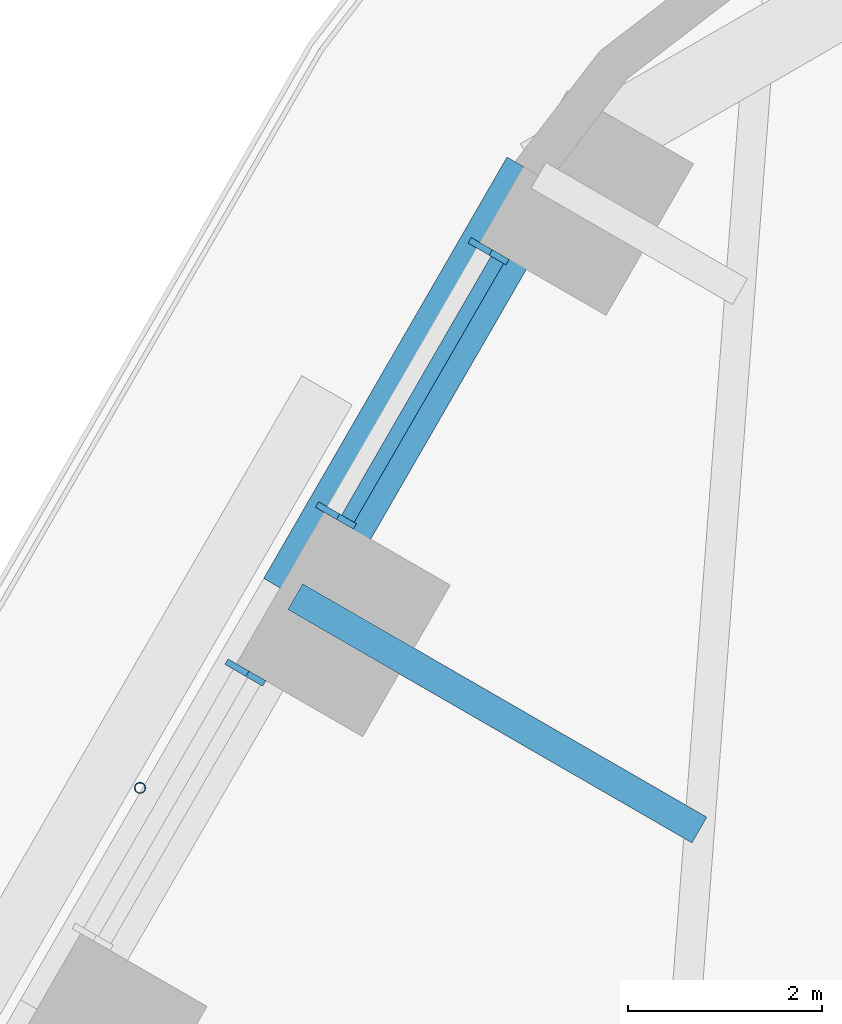
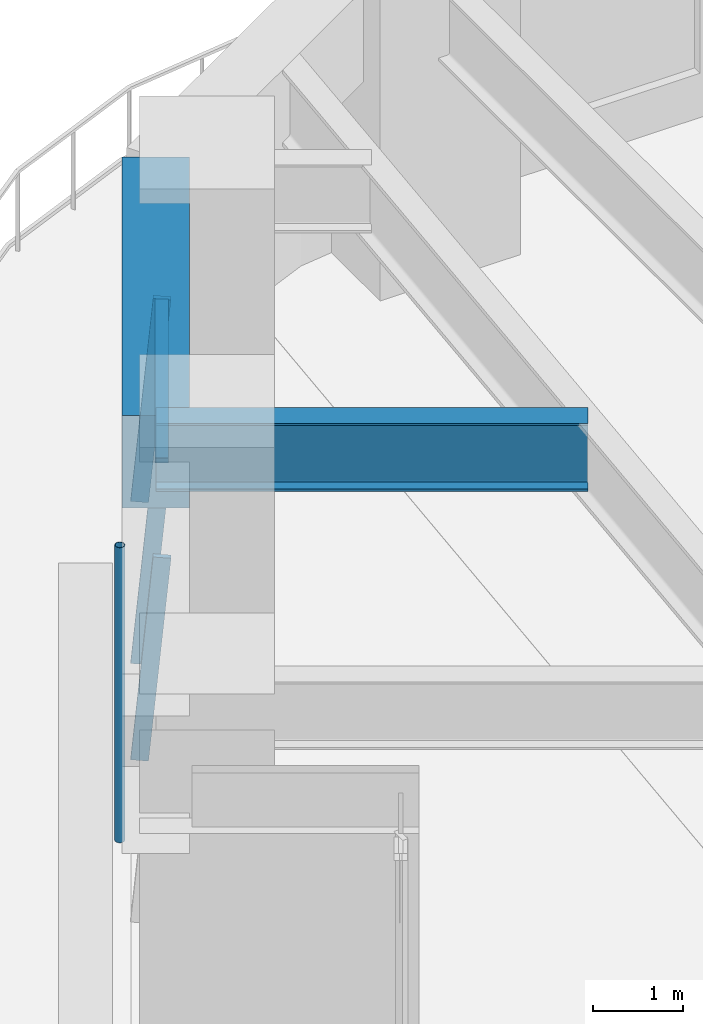
# One storey, part 9 of 24: 5 members, 2 beams, 2 elements without a shape of their own.
"""IFC4 building model written with IfcOpenShell, lengths in metres."""

from ifc_helpers import new_model, si_unit, direction, frame, origin, origin_2d, place, context, subcontext, project, spatial, rectangle, hollow_circle, i_section, extrude, material, material_profile, profile_set, type_object, element, aggregate, save


model = new_model("IFC4")

# Units and contexts
model_context = context("Model", 3, precision=1e-05, world=origin(), true_north=direction((0.0, 1.0)))
body_context = subcontext(model_context, "Body", "Model", "MODEL_VIEW")
ifc_project = project(units=[si_unit("LENGTHUNIT", "METRE"), si_unit("AREAUNIT", "SQUARE_METRE"), si_unit("VOLUMEUNIT", "CUBIC_METRE"), si_unit("PLANEANGLEUNIT", "RADIAN"), si_unit("MASSUNIT", "GRAM", prefix="KILO")], contexts=[model_context])

# Site, building, storey
site_placement = place(None, origin())
site = spatial("IfcSite", under=ifc_project, at=site_placement, CompositionType="ELEMENT")
building_placement = place(site_placement, origin())
building = spatial("IfcBuilding", under=site, at=building_placement, Name="Tarfa Lantern Tower", CompositionType="ELEMENT")
storey_placement = place(building_placement, frame((0.0, 0.0, 136.300048828125)))
storey = spatial("IfcBuildingStorey", under=building, at=storey_placement, Name="L30", CompositionType="ELEMENT", Elevation=136.300048828125)

# Curtain wall, members
ifc_material_1 = material(Name="Aluminium framed curtain wall", Category="aluminium")
curtain_wall_type = type_object("IfcCurtainWallType", Name="CW2 CANTED GLAZING MID ZONE 2750", PredefinedType="USERDEFINED", material=ifc_material_1)
curtain_wall_1_placement = place(storey_placement, origin())
curtain_wall_1 = element("IfcCurtainWall", 1, at=curtain_wall_1_placement, inside=storey, type_object=curtain_wall_type, Name="CW2 NW L30", ObjectType="CURTAIN WALL", PredefinedType="USERDEFINED")
ifc_material_2 = material(Name="Aluminium mullion", Category="aluminium")
ifc_material_profile_1 = material_profile(ifc_material_2, rectangle(XDim=0.06494140625, YDim=0.199951171875, at=origin_2d()), Name="AL MULLION 65x200")
ifc_profile_set_1 = profile_set([ifc_material_profile_1], Name="Aluminium mullion")
member_type_1 = type_object("IfcMemberType", Name="CWM1 MULLION 65x200", PredefinedType="MULLION", material=ifc_profile_set_1)
member_1_placement = place(storey_placement, frame((-20.15380859375, 27.892333984375, 0.0), z_axis=(0.078335079308, -0.045268127094, 0.995898796073), x_axis=(0.500342721131, 0.865827443207, 0.0)))
member_1 = element("IfcMember", 2, at=member_1_placement, type_object=member_type_1, Name="CW2 mullion 1", PredefinedType="MULLION", context=body_context, shape_type="SweptSolid", body=[
    extrude(rectangle(XDim=0.06494140625, YDim=0.199951171875, at=origin_2d()), origin(), (0.0, 0.0, 1.0), 2.76123046875),
])
member_2_placement = place(storey_placement, frame((-21.72314453125, 25.17431640625, 0.0), z_axis=(0.078335079308, -0.045268127094, 0.995898796073), x_axis=(0.500342721131, 0.865827443207, 0.0)))
member_2 = element("IfcMember", 3, at=member_2_placement, type_object=member_type_1, Name="CW2 mullion 2", PredefinedType="MULLION", context=body_context, shape_type="SweptSolid", body=[
    extrude(rectangle(XDim=0.06494140625, YDim=0.199951171875, at=origin_2d()), origin(), (0.0, 0.0, 1.0), 2.76123046875),
])

# Curtain wall, member
curtain_wall_2_placement = place(storey_placement, origin())
curtain_wall_2 = element("IfcCurtainWall", 4, at=curtain_wall_2_placement, inside=storey, type_object=curtain_wall_type, Name="CW2 NW L30", ObjectType="CURTAIN WALL", PredefinedType="USERDEFINED")
member_3_placement = place(storey_placement, frame((-22.65576171875, 23.55908203125, 0.0), z_axis=(0.078422950161, -0.045267813396, 0.995891894715), x_axis=(0.499919672301, 0.866071776036, 0.0)))
member_3 = element("IfcMember", 5, at=member_3_placement, type_object=member_type_1, Name="CW2 mullion 1", PredefinedType="MULLION", context=body_context, shape_type="SweptSolid", body=[
    extrude(rectangle(XDim=0.06494140625, YDim=0.199951171875, at=origin_2d()), origin(), (0.0, 0.0, 1.0), 2.76123046875),
])
aggregate(curtain_wall_2, [member_3])

# Member
ifc_material_3 = material(Name="Aluminium transom", Category="aluminium")
ifc_material_profile_2 = material_profile(ifc_material_3, rectangle(XDim=0.14990234375, YDim=0.06494140625, at=origin_2d()), Name="AL TRANSOM 150x65")
ifc_profile_set_2 = profile_set([ifc_material_profile_2], Name="Aluminium transom")
member_type_2 = type_object("IfcMemberType", Name="CWT1 TRANSOM 150x65", PredefinedType="USERDEFINED", material=ifc_profile_set_2)
member_4_placement = place(storey_placement, frame((-19.956298828125, 27.74072265625, 2.717529296875), z_axis=(-0.500008936691, -0.866020244122, 0.0), x_axis=(0.866020244122, -0.500008936691, 0.0)))
member_4 = element("IfcMember", 6, at=member_4_placement, type_object=member_type_2, Name="CW2 transom 1.2", ObjectType="TRANSOM", PredefinedType="USERDEFINED", context=body_context, shape_type="SweptSolid", body=[
    extrude(rectangle(XDim=0.14990234375, YDim=0.06494140625, at=origin_2d()), origin(), (0.0, 0.0, 1.0), 3.07373046875),
])

aggregate(curtain_wall_1, [member_1, member_2, member_4])

# Beam
ifc_material_4 = material(Name="Concrete C80/95", Category="concrete")
ifc_material_profile_3 = material_profile(ifc_material_4, rectangle(XDim=0.75, YDim=1.25, at=origin_2d()), Name="RC 750x1250")
ifc_profile_set_3 = profile_set([ifc_material_profile_3], Name="Concrete C80/95")
beam_type_1 = type_object("IfcBeamType", Name="EB2 RC 750x1250", PredefinedType="SPANDREL", material=ifc_profile_set_3)
beam_1_placement = place(storey_placement, frame((-19.53173828125, 28.610107421875, 3.375), z_axis=(-0.500001197378, -0.866024712477, 0.0), x_axis=(0.866024712477, -0.500001197378, 0.0)))
element("IfcBeam", 7, at=beam_1_placement, inside=storey, type_object=beam_type_1, Name="Edge beam NW0", PredefinedType="SPANDREL", context=body_context, shape_type="SweptSolid", body=[
    extrude(rectangle(XDim=0.75, YDim=1.25, at=origin_2d()), origin(), (0.0, 0.0, 1.0), 5.00390625),
])

# Member
ifc_material_5 = material(Name="Steel S355", Category="steel")
ifc_material_profile_4 = material_profile(ifc_material_5, hollow_circle(Radius=0.05712890625, WallThickness=0.00634765625, at=origin_2d()), Name="CHS114.3x6.3")
ifc_profile_set_4 = profile_set([ifc_material_profile_4], Name="Steel S355")
member_type_3 = type_object("IfcMemberType", Name="TR1 GREEN WALL TRELLIS CHS114.3x6.3", PredefinedType="USERDEFINED", material=ifc_profile_set_4)
member_5_placement = place(storey_placement, frame((-23.630859375, 22.31005859375, 0.0), z_axis=(0.0, 0.0, 1.0), x_axis=(1.0, 0.0, 0.0)))
element("IfcMember", 8, at=member_5_placement, inside=storey, type_object=member_type_3, Name="Trellis post NW 1", ObjectType="TRELLIS", PredefinedType="USERDEFINED", context=body_context, shape_type="SweptSolid", body=[
    extrude(hollow_circle(Radius=0.05712890625, WallThickness=0.00634765625, at=origin_2d()), origin(), (0.0, 0.0, 1.0), 4.0),
])

# Beam
ifc_material_6 = material(Name="Steel S460M", Category="steel")
ifc_material_profile_5 = material_profile(ifc_material_6, i_section(OverallWidth=0.305419921875, OverallDepth=0.91845703125, WebThickness=0.017333984375, FlangeThickness=0.02783203125, FilletRadius=0.01904296875, at=origin_2d()), Name="UB914x305x253")
ifc_profile_set_5 = profile_set([ifc_material_profile_5], Name="Steel S460M")
beam_type_2 = type_object("IfcBeamType", Name="UB914x305x253", PredefinedType="BEAM", material=ifc_profile_set_5)
beam_2_placement = place(storey_placement, frame((-22.03369140625, 24.276611328125, 3.540771484375), z_axis=(0.866030550462, -0.499991085587, 0.0), x_axis=(0.499991085587, 0.866030550462, 0.0)))
element("IfcBeam", 9, at=beam_2_placement, inside=storey, type_object=beam_type_2, Name="Floor beam NW1", PredefinedType="BEAM", context=body_context, shape_type="SweptSolid", body=[
    extrude(i_section(OverallWidth=0.305419921875, OverallDepth=0.91845703125, WebThickness=0.017333984375, FlangeThickness=0.02783203125, FilletRadius=0.01904296875, at=origin_2d()), origin(), (0.0, 0.0, 1.0), 4.798828125),
])

save(model, "model.ifc")
